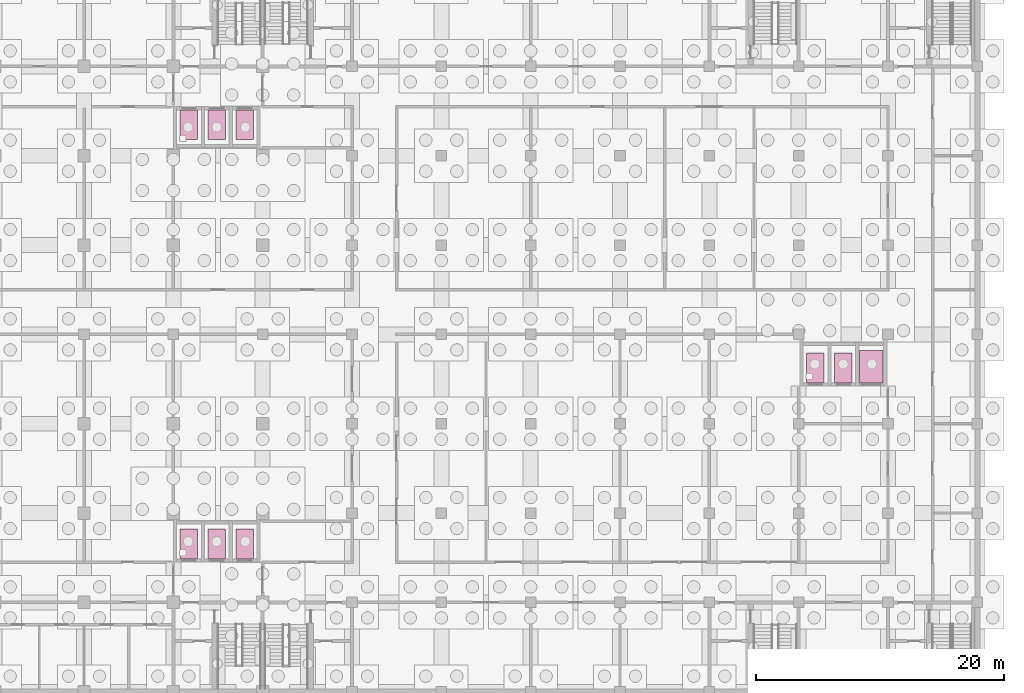
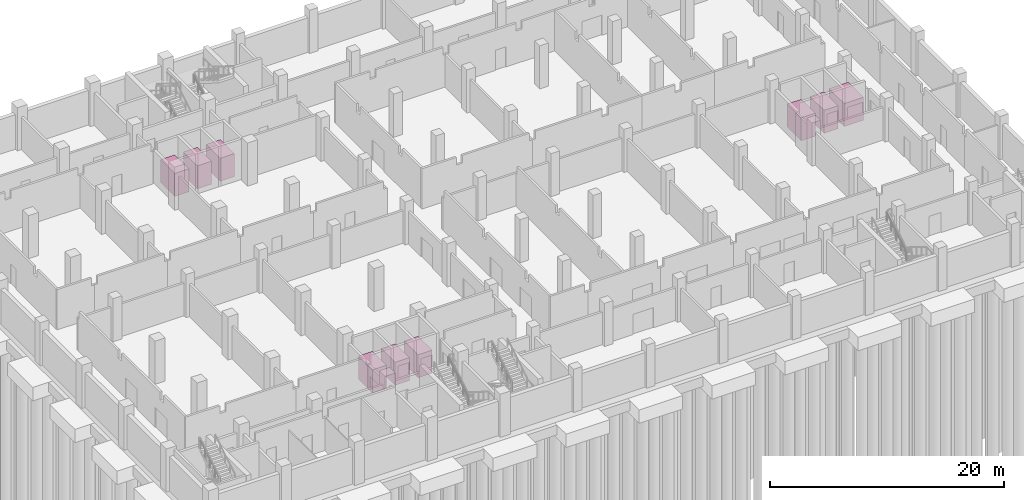
# One storey, part 19 of 19: 9 transport elements.
"""IFC4 building model written with IfcOpenShell, lengths in metres."""

from ifc_helpers import new_model, si_unit, direction, frame, origin, origin_2d, place, context, subcontext, project, spatial, rectangle, extrude, material, type_object, element, save


model = new_model("IFC4")

# Units and contexts
model_context = context("Model", 3, precision=1e-05, world=origin(), true_north=direction((0.0, 1.0)))
body_context = subcontext(model_context, "Body", "Model", "MODEL_VIEW")
ifc_project = project(units=[si_unit("LENGTHUNIT", "METRE"), si_unit("AREAUNIT", "SQUARE_METRE"), si_unit("VOLUMEUNIT", "CUBIC_METRE"), si_unit("PLANEANGLEUNIT", "RADIAN"), si_unit("MASSUNIT", "GRAM", prefix="KILO")], contexts=[model_context])

# Site, building, storey
site_placement = place(None, origin())
site = spatial("IfcSite", under=ifc_project, at=site_placement, CompositionType="ELEMENT")
building_placement = place(site_placement, origin())
building = spatial("IfcBuilding", under=site, at=building_placement, Name="Silangan Lancet Faculty of Sciences", CompositionType="ELEMENT")
storey_placement = place(building_placement, frame((0.0, 0.0, -4.5)))
storey = spatial("IfcBuildingStorey", under=building, at=storey_placement, Name="B1", CompositionType="ELEMENT", Elevation=-4.5)

# Transport elements
ifc_material_1 = material(Name="LIFT CAR 1400x2400 1600KG")
transport_element_type_1 = type_object("IfcTransportElementType", Name="LIFT CAR 1400x2400 1600KG", PredefinedType="ELEVATOR", material=ifc_material_1)
for number, where, z_axis, x_axis, name in (
    (1, (73.35009765625, 26.10009765625, 0.0), (0.0, 0.0, 1.0), (1.0, 0.0, 0.0), "Lift EB-L1"),
    (2, (75.60009765625, 26.10009765625, 0.0), (0.0, 0.0, 1.0), (1.0, 0.0, 0.0), "Lift EB-L2"),
    (3, (22.85009765625, 45.699951171875, 0.0), (0.0, 0.0, 1.0), (1.0, 0.0, 0.0), "Lift NT-L1"),
    (4, (25.10009765625, 45.699951171875, 0.0), (0.0, 0.0, 1.0), (1.0, 0.0, 0.0), "Lift NT-L2"),
    (5, (27.35009765625, 45.699951171875, 0.0), (0.0, 0.0, 1.0), (1.0, 0.0, 0.0), "Firefighting lift NT-L3"),
    (6, (22.85009765625, 11.89990234375, 0.0), (0.0, 0.0, 1.0), (1.0, 0.0, 0.0), "Lift ST-L1"),
    (7, (25.10009765625, 11.89990234375, 0.0), (0.0, 0.0, 1.0), (1.0, 0.0, 0.0), "Lift ST-L2"),
    (8, (27.35009765625, 11.89990234375, 0.0), (0.0, 0.0, 1.0), (1.0, 0.0, 0.0), "Firefighting lift ST-L3"),
):
    element("IfcTransportElement", number, at=place(storey_placement, frame(where, z_axis=z_axis, x_axis=x_axis)), inside=storey, type_object=transport_element_type_1, Name=name, PredefinedType="ELEVATOR", context=body_context, shape_type="SweptSolid", body=[
        extrude(rectangle(XDim=1.39990234375, YDim=2.39990234375, at=origin_2d()), origin(), (0.0, 0.0, 1.0), 2.39990234375),
    ])
ifc_material_2 = material(Name="LIFT CAR 1900x2600 2500KG")
transport_element_type_2 = type_object("IfcTransportElementType", Name="LIFT CAR 1900x2600 2500KG", PredefinedType="ELEVATOR", material=ifc_material_2)
transport_element_placement = place(storey_placement, frame((77.85009765625, 26.199951171875, 0.0), z_axis=(0.0, 0.0, 1.0), x_axis=(1.0, 0.0, 0.0)))
element("IfcTransportElement", 9, at=transport_element_placement, inside=storey, type_object=transport_element_type_2, Name="Lift EB-L3", PredefinedType="ELEVATOR", context=body_context, shape_type="SweptSolid", body=[
    extrude(rectangle(XDim=1.89990234375, YDim=2.60009765625, at=origin_2d()), origin(), (0.0, 0.0, 1.0), 2.39990234375),
])

save(model, "model.ifc")
